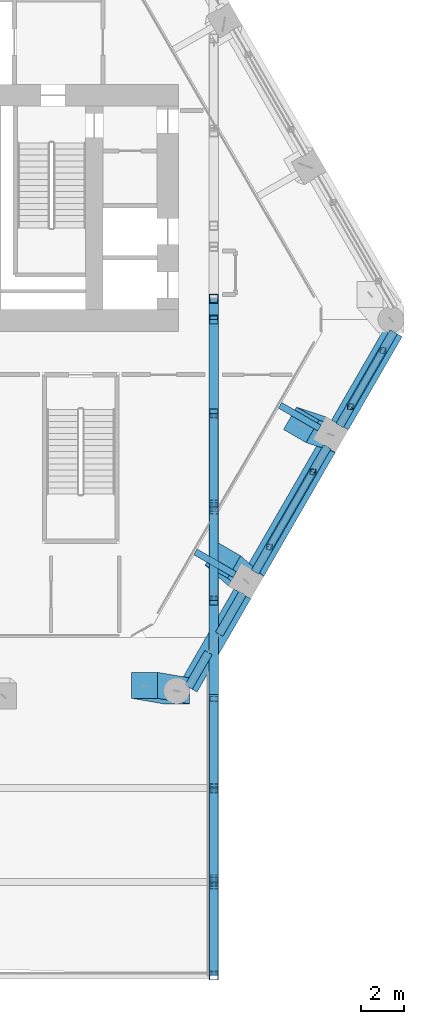
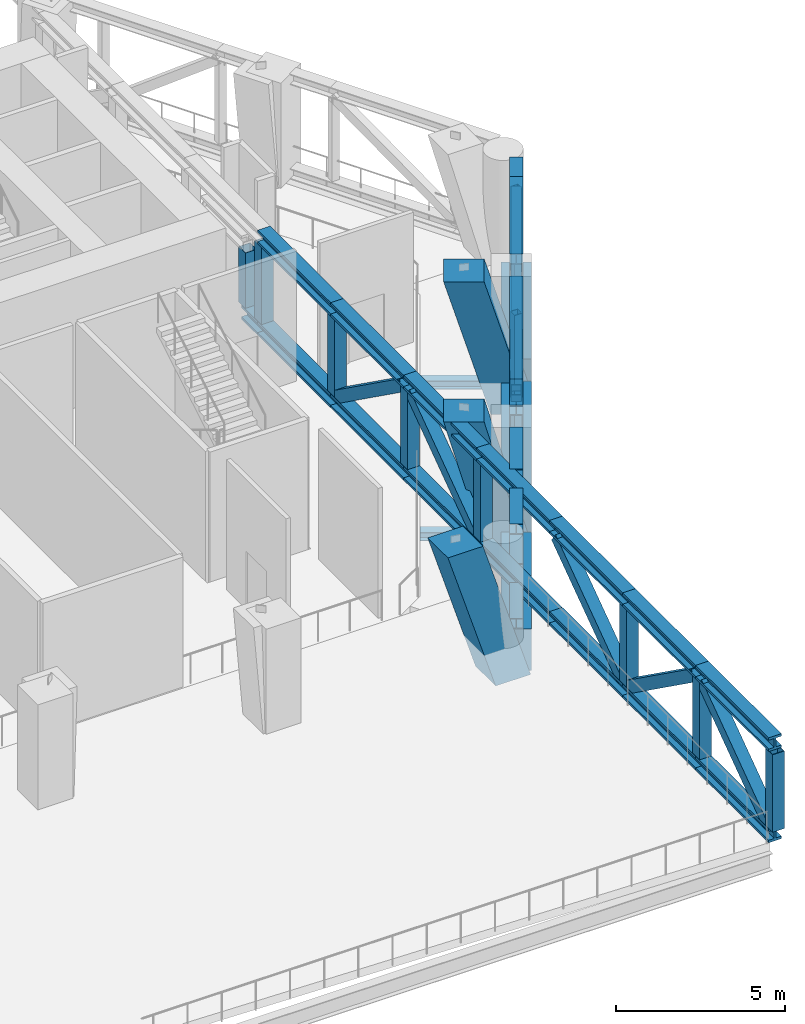
# One storey, part 4 of 22: 49 members, 5 beams.
"""IFC4 building model written with IfcOpenShell, lengths in metres."""

from ifc_helpers import new_model, si_unit, direction, frame, origin, origin_2d, place, context, subcontext, project, spatial, rectangle, hollow_rectangle, i_section, extrude, material, material_profile, profile_set, type_object, element, save


model = new_model("IFC4")

# Units and contexts
model_context = context("Model", 3, precision=1e-05, world=origin(), true_north=direction((0.0, 1.0)))
body_context = subcontext(model_context, "Body", "Model", "MODEL_VIEW")
ifc_project = project(units=[si_unit("LENGTHUNIT", "METRE"), si_unit("AREAUNIT", "SQUARE_METRE"), si_unit("VOLUMEUNIT", "CUBIC_METRE"), si_unit("PLANEANGLEUNIT", "RADIAN"), si_unit("MASSUNIT", "GRAM", prefix="KILO")], contexts=[model_context])

# Site, building, storey
site_placement = place(None, origin())
site = spatial("IfcSite", under=ifc_project, at=site_placement, CompositionType="ELEMENT")
building_placement = place(site_placement, origin())
building = spatial("IfcBuilding", under=site, at=building_placement, Name="Ostrander Bayou Hotel Tower", CompositionType="ELEMENT")
storey_placement = place(building_placement, frame((0.0, 0.0, 146.0)))
storey = spatial("IfcBuildingStorey", under=building, at=storey_placement, Name="L36", CompositionType="ELEMENT", Elevation=146.0)

# Members
ifc_material_1 = material(Name="Steel ASTM A992", Category="steel")
ifc_material_profile_1 = material_profile(ifc_material_1, i_section(OverallWidth=0.3955078125, OverallDepth=0.38037109375, WebThickness=0.01904296875, FlangeThickness=0.0302734375, at=origin_2d()))
ifc_profile_set_1 = profile_set([ifc_material_profile_1], Name="Steel ASTM A992")
member_type_1 = type_object("IfcMemberType", Name="BT3 belt truss chord W14x159", PredefinedType="CHORD", material=ifc_profile_set_1)
member_1_placement = place(storey_placement, frame((12.45361328125, -18.1298828125, 0.190185546875), z_axis=(0.499990325971, 0.866030989016, 0.0), x_axis=(-0.866030989016, 0.499990325971, 0.0)))
element("IfcMember", 1, at=member_1_placement, inside=storey, type_object=member_type_1, Name="BT3 L36 SE-1B1", PredefinedType="CHORD", context=body_context, shape_type="SweptSolid", body=[
    extrude(i_section(OverallWidth=0.3955078125, OverallDepth=0.38037109375, WebThickness=0.01904296875, FlangeThickness=0.0302734375, at=origin_2d()), origin(), (0.0, 0.0, 1.0), 1.8408203125),
])
member_2_placement = place(storey_placement, frame((13.865966796875, -15.683349609375, 0.190185546875), z_axis=(0.499994843742, 0.866028380731, 0.0), x_axis=(-0.866028380731, 0.499994843742, 0.0)))
element("IfcMember", 2, at=member_2_placement, inside=storey, type_object=member_type_1, Name="BT3 L36 SE-1B2", PredefinedType="CHORD", context=body_context, shape_type="SweptSolid", body=[
    extrude(i_section(OverallWidth=0.3955078125, OverallDepth=0.38037109375, WebThickness=0.01904296875, FlangeThickness=0.0302734375, at=origin_2d()), origin(), (0.0, 0.0, 1.0), 2.17236328125),
])
member_3_placement = place(storey_placement, frame((12.45361328125, -18.1298828125, 3.60986328125), z_axis=(0.499990325971, 0.866030989016, 0.0), x_axis=(-0.866030989016, 0.499990325971, 0.0)))
element("IfcMember", 3, at=member_3_placement, inside=storey, type_object=member_type_1, Name="BT3 L36 SE-1T1", PredefinedType="CHORD", context=body_context, shape_type="SweptSolid", body=[
    extrude(i_section(OverallWidth=0.3955078125, OverallDepth=0.38037109375, WebThickness=0.01904296875, FlangeThickness=0.0302734375, at=origin_2d()), origin(), (0.0, 0.0, 1.0), 1.8408203125),
])
member_4_placement = place(storey_placement, frame((13.865966796875, -15.683349609375, 3.60986328125), z_axis=(0.499994843742, 0.866028380731, 0.0), x_axis=(-0.866028380731, 0.499994843742, 0.0)))
element("IfcMember", 4, at=member_4_placement, inside=storey, type_object=member_type_1, Name="BT3 L36 SE-1T2", PredefinedType="CHORD", context=body_context, shape_type="SweptSolid", body=[
    extrude(i_section(OverallWidth=0.3955078125, OverallDepth=0.38037109375, WebThickness=0.01904296875, FlangeThickness=0.0302734375, at=origin_2d()), origin(), (0.0, 0.0, 1.0), 2.17236328125),
])
member_5_placement = place(storey_placement, frame((15.522216796875, -12.814697265625, 0.190185546875), z_axis=(0.500004822225, 0.866022619654, 0.0), x_axis=(-0.866022619654, 0.500004822225, 0.0)))
element("IfcMember", 5, at=member_5_placement, inside=storey, type_object=member_type_1, Name="BT3 L36 SE-2B1", PredefinedType="CHORD", context=body_context, shape_type="SweptSolid", body=[
    extrude(i_section(OverallWidth=0.3955078125, OverallDepth=0.38037109375, WebThickness=0.01904296875, FlangeThickness=0.0302734375, at=origin_2d()), origin(), (0.0, 0.0, 1.0), 5.3388671875),
])
member_6_placement = place(storey_placement, frame((18.191650390625, -8.191162109375, 0.190185546875), z_axis=(0.499975827765, 0.866039359181, 0.0), x_axis=(-0.866039359181, 0.499975827765, 0.0)))
element("IfcMember", 6, at=member_6_placement, inside=storey, type_object=member_type_1, Name="BT3 L36 SE-2B2", PredefinedType="CHORD", context=body_context, shape_type="SweptSolid", body=[
    extrude(i_section(OverallWidth=0.3955078125, OverallDepth=0.38037109375, WebThickness=0.01904296875, FlangeThickness=0.0302734375, at=origin_2d()), origin(), (0.0, 0.0, 1.0), 1.33447265625),
])
member_7_placement = place(storey_placement, frame((15.522216796875, -12.814697265625, 3.60986328125), z_axis=(0.50003380888, 0.866005883338, 0.0), x_axis=(-0.866005883338, 0.50003380888, 0.0)))
element("IfcMember", 7, at=member_7_placement, inside=storey, type_object=member_type_1, Name="BT3 L36 SE-2T1", PredefinedType="CHORD", context=body_context, shape_type="SweptSolid", body=[
    extrude(i_section(OverallWidth=0.3955078125, OverallDepth=0.38037109375, WebThickness=0.01904296875, FlangeThickness=0.0302734375, at=origin_2d()), origin(), (0.0, 0.0, 1.0), 1.3349609375),
])
member_8_placement = place(storey_placement, frame((16.189697265625, -11.65869140625, 3.60986328125), z_axis=(0.499990325971, 0.866030989016, 0.0), x_axis=(-0.866030989016, 0.499990325971, 0.0)))
element("IfcMember", 8, at=member_8_placement, inside=storey, type_object=member_type_1, Name="BT3 L36 SE-2T2", PredefinedType="CHORD", context=body_context, shape_type="SweptSolid", body=[
    extrude(i_section(OverallWidth=0.3955078125, OverallDepth=0.38037109375, WebThickness=0.01904296875, FlangeThickness=0.0302734375, at=origin_2d()), origin(), (0.0, 0.0, 1.0), 5.33837890625),
])
member_9_placement = place(storey_placement, frame((19.428955078125, -6.048095703125, 0.190185546875), z_axis=(0.499947967163, 0.866055442873, 0.0), x_axis=(-0.866055442873, 0.499947967163, 0.0)))
element("IfcMember", 9, at=member_9_placement, inside=storey, type_object=member_type_1, Name="BT3 L36 SE-3B1", PredefinedType="CHORD", context=body_context, shape_type="SweptSolid", body=[
    extrude(i_section(OverallWidth=0.3955078125, OverallDepth=0.38037109375, WebThickness=0.01904296875, FlangeThickness=0.0302734375, at=origin_2d()), origin(), (0.0, 0.0, 1.0), 0.99951171875),
])
member_10_placement = place(storey_placement, frame((19.9287109375, -5.182373046875, 0.190185546875), z_axis=(0.500027289618, 0.866009647543, 0.0), x_axis=(-0.866009647543, 0.500027289618, 0.0)))
element("IfcMember", 10, at=member_10_placement, inside=storey, type_object=member_type_1, Name="BT3 L36 SE-3B2", PredefinedType="CHORD", context=body_context, shape_type="SweptSolid", body=[
    extrude(i_section(OverallWidth=0.3955078125, OverallDepth=0.38037109375, WebThickness=0.01904296875, FlangeThickness=0.0302734375, at=origin_2d()), origin(), (0.0, 0.0, 1.0), 3.997802734375),
])
member_11_placement = place(storey_placement, frame((19.428955078125, -6.048095703125, 3.60986328125), z_axis=(0.500000846469, 0.866024915075, 0.0), x_axis=(-0.866024915075, 0.500000846469, 0.0)))
element("IfcMember", 11, at=member_11_placement, inside=storey, type_object=member_type_1, Name="BT3 L36 SE-3T1", PredefinedType="CHORD", context=body_context, shape_type="SweptSolid", body=[
    extrude(i_section(OverallWidth=0.3955078125, OverallDepth=0.38037109375, WebThickness=0.01904296875, FlangeThickness=0.0302734375, at=origin_2d()), origin(), (0.0, 0.0, 1.0), 3.998046875),
])
member_12_placement = place(storey_placement, frame((21.427978515625, -2.585693359375, 3.60986328125), z_axis=(0.500053735098, 0.865994377588, 0.0), x_axis=(-0.865994377588, 0.500053735098, 0.0)))
element("IfcMember", 12, at=member_12_placement, inside=storey, type_object=member_type_1, Name="BT3 L36 SE-3T2", PredefinedType="CHORD", context=body_context, shape_type="SweptSolid", body=[
    extrude(i_section(OverallWidth=0.3955078125, OverallDepth=0.38037109375, WebThickness=0.01904296875, FlangeThickness=0.0302734375, at=origin_2d()), origin(), (0.0, 0.0, 1.0), 0.99951171875),
])
ifc_material_2 = material(Name="Steel ASTM A500 Gr C", Category="steel")
ifc_material_profile_2 = material_profile(ifc_material_2, hollow_rectangle(XDim=0.3046875, YDim=0.3046875, WallThickness=0.01171875, at=origin_2d()))
ifc_profile_set_2 = profile_set([ifc_material_profile_2], Name="Steel ASTM A500 Gr C")
member_type_2 = type_object("IfcMemberType", Name="BT4 belt truss diagonal HSS12x12x1/2", PredefinedType="BRACE", material=ifc_profile_set_2)
member_13_placement = place(storey_placement, frame((18.191650390625, -8.191162109375, 0.380615234375), z_axis=(-0.398277452631, -0.689845690209, 0.604556030841), x_axis=(0.866028199139, -0.499995158272, 0.0)))
element("IfcMember", 13, at=member_13_placement, inside=storey, type_object=member_type_2, Name="BT4 L36 SE-2D", PredefinedType="BRACE", context=body_context, shape_type="SweptSolid", body=[
    extrude(hollow_rectangle(XDim=0.3046875, YDim=0.3046875, WallThickness=0.01171875, at=origin_2d()), origin(), (0.0, 0.0, 1.0), 5.026611328125),
])
member_14_placement = place(storey_placement, frame((19.9287109375, -5.182373046875, 0.380615234375), z_axis=(0.351192950479, 0.608254066324, 0.711821959716), x_axis=(-0.866014736989, 0.500018474976, 0.0)))
element("IfcMember", 14, at=member_14_placement, inside=storey, type_object=member_type_2, Name="BT4 L36 SE-3D", PredefinedType="BRACE", context=body_context, shape_type="SweptSolid", body=[
    extrude(hollow_rectangle(XDim=0.3046875, YDim=0.3046875, WallThickness=0.01171875, at=origin_2d()), origin(), (0.0, 0.0, 1.0), 4.26904296875),
])
ifc_material_3 = material(Name="Steel ASTM A500 Gr C", Category="steel")
ifc_material_profile_3 = material_profile(ifc_material_3, hollow_rectangle(XDim=0.25390625, YDim=0.25390625, WallThickness=0.0087890625, at=origin_2d()))
ifc_profile_set_3 = profile_set([ifc_material_profile_3], Name="Steel ASTM A500 Gr C")
member_type_3 = type_object("IfcMemberType", Name="BT8 belt truss vertical HSS10x10x3/8", PredefinedType="POST", material=ifc_profile_set_3)
for number, where, z_axis, x_axis, name in (
    (15, (16.189697265625, -11.65869140625, 0.380615234375), (0.0, 0.0, 1.0), (1.0, 0.0, 0.0), "BT8 L36 SE-2V1"),
    (16, (18.191650390625, -8.191162109375, 0.380615234375), (0.0, 0.0, 1.0), (1.0, 0.0, 0.0), "BT8 L36 SE-2V2"),
    (17, (19.9287109375, -5.182373046875, 0.380615234375), (0.0, 0.0, 1.0), (1.0, 0.0, 0.0), "BT8 L36 SE-3V1"),
    (18, (21.427978515625, -2.585693359375, 0.380615234375), (0.0, 0.0, 1.0), (1.0, 0.0, 0.0), "BT8 L36 SE-3V2"),
):
    element("IfcMember", number, at=place(storey_placement, frame(where, z_axis=z_axis, x_axis=x_axis)), inside=storey, type_object=member_type_3, Name=name, PredefinedType="POST", context=body_context, shape_type="SweptSolid", body=[
        extrude(hollow_rectangle(XDim=0.25390625, YDim=0.25390625, WallThickness=0.0087890625, at=origin_2d()), origin(), (0.0, 0.0, 1.0), 3.038818359375),
    ])
ifc_material_4 = material(Name="Concrete f'c 70 MPa", Category="concrete")
ifc_material_profile_4 = material_profile(ifc_material_4, rectangle(XDim=1.199951171875, YDim=1.199951171875, at=origin_2d()))
ifc_profile_set_4 = profile_set([ifc_material_profile_4], Name="Concrete f'c 70 MPa")
member_type_4 = type_object("IfcMemberType", Name="KC2 kinked column 1200 x 1200 mm f'c 70 MPa", PredefinedType="STRUT", material=ifc_profile_set_4)
member_15_placement = place(storey_placement, frame((11.90234375, -18.302490234375, -1.199951171875), z_axis=(0.0, 0.0, 1.0), x_axis=(1.0, 0.0, 0.0)))
element("IfcMember", 19, at=member_15_placement, inside=storey, type_object=member_type_4, Name="KC2 L36 K3", PredefinedType="STRUT", context=body_context, shape_type="SweptSolid", body=[
    extrude(rectangle(XDim=1.199951171875, YDim=1.199951171875, at=origin_2d()), origin(), (-0.284167250873, 0.049231345043, 0.957509920678), 5.221923828125),
])
member_16_placement = place(storey_placement, frame((15.107421875, -13.2333984375, -1.199951171875), z_axis=(0.0, 0.0, 1.0), x_axis=(-0.5, -0.866025403784, 0.0)))
element("IfcMember", 20, at=member_16_placement, inside=storey, type_object=member_type_4, Name="KC2 L36 SE1", PredefinedType="STRUT", context=body_context, shape_type="SweptSolid", body=[
    extrude(rectangle(XDim=1.199951171875, YDim=1.199951171875, at=origin_2d()), origin(), (-0.055541477356, -0.269233794776, 0.961471948651), 5.200439453125),
])
member_17_placement = place(storey_placement, frame((19.01416015625, -6.466796875, -1.199951171875), z_axis=(0.0, 0.0, 1.0), x_axis=(-0.5, -0.866025403784, 0.0)))
element("IfcMember", 21, at=member_17_placement, inside=storey, type_object=member_type_4, Name="KC2 L36 SE2", PredefinedType="STRUT", context=body_context, shape_type="SweptSolid", body=[
    extrude(rectangle(XDim=1.199951171875, YDim=1.199951171875, at=origin_2d()), origin(), (0.055493302384, -0.269256634144, 0.961468334559), 5.200439453125),
])

# Beams
ifc_material_5 = material(Name="Steel ASTM A992", Category="steel")
ifc_material_profile_5 = material_profile(ifc_material_5, i_section(OverallWidth=0.3046875, OverallDepth=0.307861328125, WebThickness=0.010009765625, FlangeThickness=0.015380859375, at=origin_2d()))
ifc_profile_set_5 = profile_set([ifc_material_profile_5], Name="Steel ASTM A992")
beam_type_1 = type_object("IfcBeamType", Name="LB1 loggia bracket W12x65", PredefinedType="BEAM", material=ifc_profile_set_5)
for number, where, z_axis, x_axis, name in (
    (22, (14.587646484375, -12.933349609375, -0.453857421875), (-0.866009402589, 0.500027713859, 0.0), (-0.500027713859, -0.866009402589, 0.0), "LB1 L36 SE1"),
    (23, (18.494384765625, -6.166748046875, -0.453857421875), (-0.866009402589, 0.500027713859, 0.0), (-0.500027713859, -0.866009402589, 0.0), "LB1 L36 SE2"),
):
    element("IfcBeam", number, at=place(storey_placement, frame(where, z_axis=z_axis, x_axis=x_axis)), inside=storey, type_object=beam_type_1, Name=name, PredefinedType="BEAM", context=body_context, shape_type="SweptSolid", body=[
        extrude(i_section(OverallWidth=0.3046875, OverallDepth=0.307861328125, WebThickness=0.010009765625, FlangeThickness=0.015380859375, at=origin_2d()), origin(), (0.0, 0.0, 1.0), 2.10009765625),
    ])
ifc_material_6 = material(Name="Concrete f'c 70 MPa", Category="concrete")
ifc_material_profile_6 = material_profile(ifc_material_6, rectangle(XDim=0.89990234375, YDim=1.5, at=origin_2d()))
ifc_profile_set_6 = profile_set([ifc_material_profile_6], Name="Concrete f'c 70 MPa")
beam_type_2 = type_object("IfcBeamType", Name="SPB2 belt spandrel beam 900 x 1500 mm f'c 70 MPa", PredefinedType="SPANDREL", material=ifc_profile_set_6)
beam_1_placement = place(storey_placement, frame((12.45361328125, -18.1298828125, -0.75), z_axis=(0.499974782844, 0.866039962427, 0.0), x_axis=(-0.866039962427, 0.499974782844, 0.0)))
element("IfcBeam", 24, at=beam_1_placement, inside=storey, type_object=beam_type_2, Name="SP2 L36 SE-1", PredefinedType="SPANDREL", context=body_context, shape_type="SweptSolid", body=[
    extrude(rectangle(XDim=0.89990234375, YDim=1.5, at=origin_2d()), origin(), (0.0, 0.0, 1.0), 4.997314453125),
])
beam_2_placement = place(storey_placement, frame((15.522216796875, -12.814697265625, -0.75), z_axis=(0.499999023957, 0.866025967302, 0.0), x_axis=(-0.866025967302, 0.499999023957, 0.0)))
element("IfcBeam", 25, at=beam_2_placement, inside=storey, type_object=beam_type_2, Name="SP2 L36 SE-2", PredefinedType="SPANDREL", context=body_context, shape_type="SweptSolid", body=[
    extrude(rectangle(XDim=0.89990234375, YDim=1.5, at=origin_2d()), origin(), (0.0, 0.0, 1.0), 6.67333984375),
])
beam_3_placement = place(storey_placement, frame((19.428955078125, -6.048095703125, -0.75), z_axis=(0.500011423449, 0.866018808352, 0.0), x_axis=(-0.866018808352, 0.500011423449, 0.0)))
element("IfcBeam", 26, at=beam_3_placement, inside=storey, type_object=beam_type_2, Name="SP2 L36 SE-3", PredefinedType="SPANDREL", context=body_context, shape_type="SweptSolid", body=[
    extrude(rectangle(XDim=0.89990234375, YDim=1.5, at=origin_2d()), origin(), (0.0, 0.0, 1.0), 4.99755859375),
])

# Members
ifc_material_7 = material(Name="Steel ASTM A992", Category="steel")
ifc_material_profile_7 = material_profile(ifc_material_7, i_section(OverallWidth=0.43212890625, OverallDepth=0.497802734375, WebThickness=0.0556640625, FlangeThickness=0.0888671875, at=origin_2d()))
ifc_profile_set_7 = profile_set([ifc_material_profile_7], Name="Steel ASTM A992")
member_type_5 = type_object("IfcMemberType", Name="TT1 through-truss chord W14x500", PredefinedType="CHORD", material=ifc_profile_set_7)
member_18_placement = place(storey_placement, frame((13.6201171875, -0.192626953125, 0.248779296875), z_axis=(0.0, -1.0, 0.0), x_axis=(1.0, 0.0, 0.0)))
element("IfcMember", 27, at=member_18_placement, inside=storey, type_object=member_type_5, Name="TT1 SB3B B7", PredefinedType="CHORD", context=body_context, shape_type="SweptSolid", body=[
    extrude(i_section(OverallWidth=0.43212890625, OverallDepth=0.497802734375, WebThickness=0.0556640625, FlangeThickness=0.0888671875, at=origin_2d()), origin(), (0.0, 0.0, 1.0), 0.9638671875),
])
for number, where, z_axis, x_axis, name in (
    (28, (13.6201171875, -1.156494140625, 0.248779296875), (0.0, -1.0, 0.0), (1.0, 0.0, 0.0), "TT1 SB3B B8"),
    (29, (13.6201171875, -1.156494140625, 3.551025390625), (0.0, -1.0, 0.0), (1.0, 0.0, 0.0), "TT1 SB3B T8"),
    (30, (13.6201171875, -5.484130859375, 0.248779296875), (0.0, -1.0, 0.0), (1.0, 0.0, 0.0), "TT1 SB3B B9"),
    (31, (13.6201171875, -5.484130859375, 3.551025390625), (0.0, -1.0, 0.0), (1.0, 0.0, 0.0), "TT1 SB3B T9"),
    (32, (13.6201171875, -9.811767578125, 0.248779296875), (0.0, -1.0, 0.0), (1.0, 0.0, 0.0), "TT1 SB3B B10"),
    (33, (13.6201171875, -9.811767578125, 3.551025390625), (0.0, -1.0, 0.0), (1.0, 0.0, 0.0), "TT1 SB3B T10"),
    (34, (13.6201171875, -14.139404296875, 0.248779296875), (0.0, -1.0, 0.0), (1.0, 0.0, 0.0), "TT1 SB3B B11"),
    (35, (13.6201171875, -14.139404296875, 3.551025390625), (0.0, -1.0, 0.0), (1.0, 0.0, 0.0), "TT1 SB3B T11"),
    (36, (13.6201171875, -18.467041015625, 0.248779296875), (0.0, -1.0, 0.0), (1.0, 0.0, 0.0), "TT1 SB3B B12"),
    (37, (13.6201171875, -18.467041015625, 3.551025390625), (0.0, -1.0, 0.0), (1.0, 0.0, 0.0), "TT1 SB3B T12"),
    (38, (13.6201171875, -22.794677734375, 0.248779296875), (0.0, -1.0, 0.0), (1.0, 0.0, 0.0), "TT1 SB3B B13"),
    (39, (13.6201171875, -22.794677734375, 3.551025390625), (0.0, -1.0, 0.0), (1.0, 0.0, 0.0), "TT1 SB3B T13"),
    (40, (13.6201171875, -27.122314453125, 0.248779296875), (0.0, -1.0, 0.0), (1.0, 0.0, 0.0), "TT1 SB3B B14"),
    (41, (13.6201171875, -27.122314453125, 3.551025390625), (0.0, -1.0, 0.0), (1.0, 0.0, 0.0), "TT1 SB3B T14"),
):
    element("IfcMember", number, at=place(storey_placement, frame(where, z_axis=z_axis, x_axis=x_axis)), inside=storey, type_object=member_type_5, Name=name, PredefinedType="CHORD", context=body_context, shape_type="SweptSolid", body=[
        extrude(i_section(OverallWidth=0.43212890625, OverallDepth=0.497802734375, WebThickness=0.0556640625, FlangeThickness=0.0888671875, at=origin_2d()), origin(), (0.0, 0.0, 1.0), 4.32763671875),
    ])
ifc_material_8 = material(Name="Steel ASTM A572 Gr 50", Category="steel")
ifc_material_profile_8 = material_profile(ifc_material_8, hollow_rectangle(XDim=0.406494140625, YDim=0.406494140625, WallThickness=0.017822265625, at=origin_2d()))
ifc_profile_set_8 = profile_set([ifc_material_profile_8], Name="Steel ASTM A572 Gr 50")
member_type_6 = type_object("IfcMemberType", Name="TT3 through-truss diagonal box 16 x 16 x 3/4", PredefinedType="BRACE", material=ifc_profile_set_8)
for number, where, z_axis, x_axis, name in (
    (42, (13.6201171875, -5.687255859375, 0.497802734375), (0.0, -0.813394586263, 0.581712340456), (1.0, 0.0, 0.0), "TT3 SB3B D9"),
    (43, (13.6201171875, -13.936279296875, 0.497802734375), (0.0, 0.813394586263, 0.581712340456), (-1.0, 0.0, 0.0), "TT3 SB3B D10"),
):
    element("IfcMember", number, at=place(storey_placement, frame(where, z_axis=z_axis, x_axis=x_axis)), inside=storey, type_object=member_type_6, Name=name, PredefinedType="BRACE", context=body_context, shape_type="SweptSolid", body=[
        extrude(hollow_rectangle(XDim=0.406494140625, YDim=0.406494140625, WallThickness=0.017822265625, at=origin_2d()), origin(), (0.0, 0.0, 1.0), 4.821044921875),
    ])
member_19_placement = place(storey_placement, frame((13.6201171875, -22.591552734375, 0.497802734375), z_axis=(0.0, 0.813377448858, 0.581736302536), x_axis=(-1.0, 0.0, 0.0)))
element("IfcMember", 44, at=member_19_placement, inside=storey, type_object=member_type_6, Name="TT3 SB3B D12", PredefinedType="BRACE", context=body_context, shape_type="SweptSolid", body=[
    extrude(hollow_rectangle(XDim=0.406494140625, YDim=0.406494140625, WallThickness=0.017822265625, at=origin_2d()), origin(), (0.0, 0.0, 1.0), 4.82080078125),
])
member_20_placement = place(storey_placement, frame((13.6201171875, -22.997802734375, 0.497802734375), z_axis=(0.0, -0.813394586263, 0.581712340456), x_axis=(1.0, 0.0, 0.0)))
element("IfcMember", 45, at=member_20_placement, inside=storey, type_object=member_type_6, Name="TT3 SB3B D13", PredefinedType="BRACE", context=body_context, shape_type="SweptSolid", body=[
    extrude(hollow_rectangle(XDim=0.406494140625, YDim=0.406494140625, WallThickness=0.017822265625, at=origin_2d()), origin(), (0.0, 0.0, 1.0), 4.821044921875),
])
member_21_placement = place(storey_placement, frame((13.6201171875, -31.246826171875, 0.497802734375), z_axis=(0.0, 0.813377448858, 0.581736302536), x_axis=(-1.0, 0.0, 0.0)))
element("IfcMember", 46, at=member_21_placement, inside=storey, type_object=member_type_6, Name="TT3 SB3B D14", PredefinedType="BRACE", context=body_context, shape_type="SweptSolid", body=[
    extrude(hollow_rectangle(XDim=0.406494140625, YDim=0.406494140625, WallThickness=0.017822265625, at=origin_2d()), origin(), (0.0, 0.0, 1.0), 4.82080078125),
])
ifc_material_9 = material(Name="Steel ASTM A572 Gr 50", Category="steel")
ifc_material_profile_9 = material_profile(ifc_material_9, hollow_rectangle(XDim=0.406494140625, YDim=0.406494140625, WallThickness=0.017822265625, at=origin_2d()))
ifc_profile_set_9 = profile_set([ifc_material_profile_9], Name="Steel ASTM A572 Gr 50")
member_type_7 = type_object("IfcMemberType", Name="TT4 through-truss post box 16 x 16 x 3/4", PredefinedType="POST", material=ifc_profile_set_9)
for number, where, z_axis, x_axis, name in (
    (47, (13.6201171875, -1.156494140625, 0.497802734375), (0.0, 0.0, 1.0), (1.0, 0.0, 0.0), "TT4 SB3B P8"),
    (48, (13.6201171875, -5.484130859375, 0.497802734375), (0.0, 0.0, 1.0), (1.0, 0.0, 0.0), "TT4 SB3B P9"),
    (49, (13.6201171875, -9.811767578125, 0.497802734375), (0.0, 0.0, 1.0), (1.0, 0.0, 0.0), "TT4 SB3B P10"),
    (50, (13.6201171875, -14.139404296875, 0.497802734375), (0.0, 0.0, 1.0), (1.0, 0.0, 0.0), "TT4 SB3B P11"),
    (51, (13.6201171875, -22.794677734375, 0.497802734375), (0.0, 0.0, 1.0), (1.0, 0.0, 0.0), "TT4 SB3B P13"),
    (52, (13.6201171875, -27.122314453125, 0.497802734375), (0.0, 0.0, 1.0), (1.0, 0.0, 0.0), "TT4 SB3B P14"),
    (53, (13.6201171875, -31.449951171875, 0.497802734375), (0.0, 0.0, 1.0), (1.0, 0.0, 0.0), "TT4 SB3B P15"),
):
    element("IfcMember", number, at=place(storey_placement, frame(where, z_axis=z_axis, x_axis=x_axis)), inside=storey, type_object=member_type_7, Name=name, PredefinedType="POST", context=body_context, shape_type="SweptSolid", body=[
        extrude(hollow_rectangle(XDim=0.406494140625, YDim=0.406494140625, WallThickness=0.017822265625, at=origin_2d()), origin(), (0.0, 0.0, 1.0), 2.804443359375),
    ])
member_22_placement = place(storey_placement, frame((13.6201171875, -0.192626953125, 0.497802734375), z_axis=(0.0, 0.0, 1.0), x_axis=(1.0, 0.0, 0.0)))
element("IfcMember", 54, at=member_22_placement, inside=storey, type_object=member_type_7, Name="TT4 SB3B KN7b", PredefinedType="POST", context=body_context, shape_type="SweptSolid", body=[
    extrude(hollow_rectangle(XDim=0.406494140625, YDim=0.406494140625, WallThickness=0.017822265625, at=origin_2d()), origin(), (0.0, 0.0, 1.0), 2.002197265625),
])

save(model, "model.ifc")
